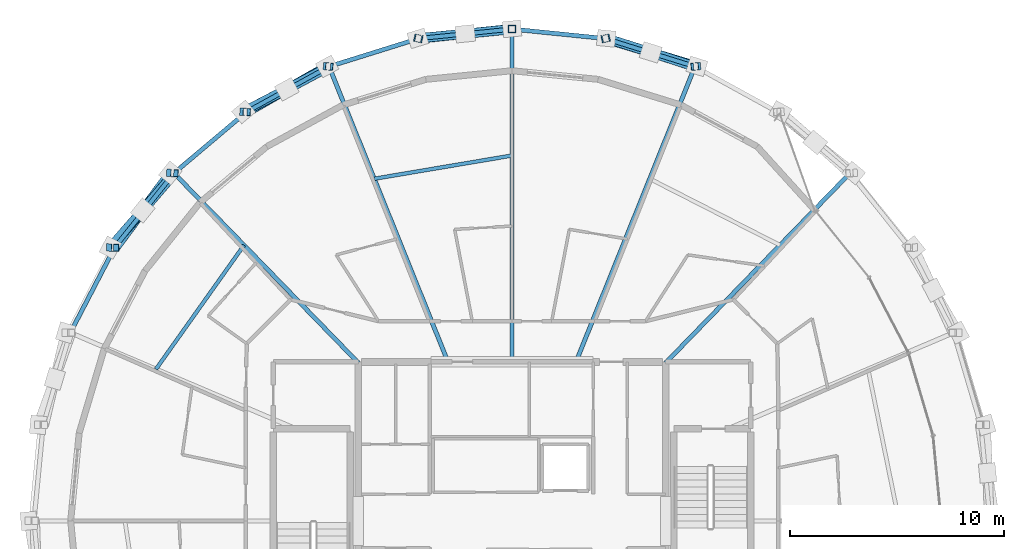
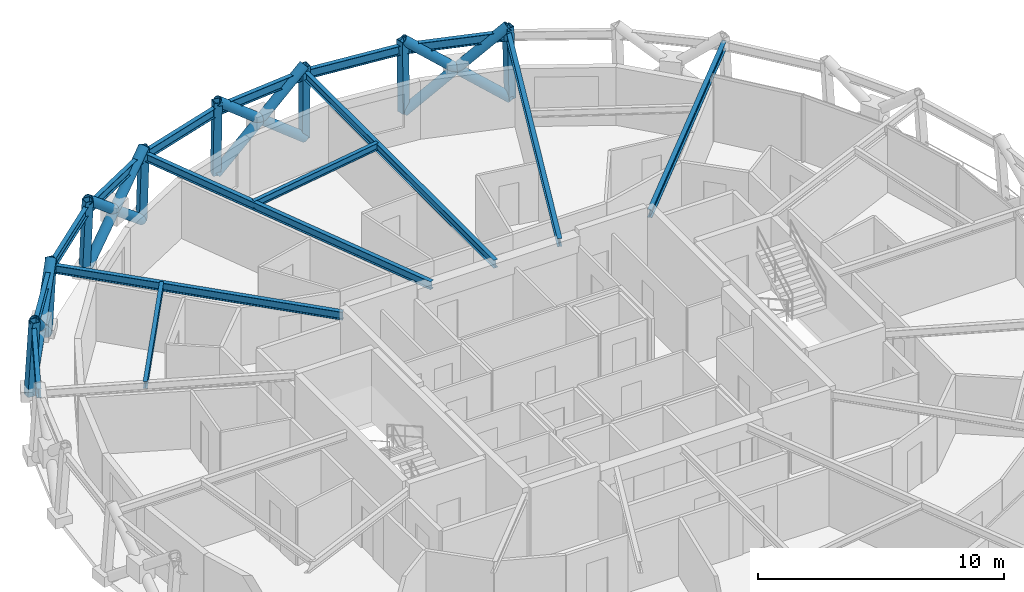
# One storey, part 7 of 15: 20 members, 15 beams.
"""IFC4 building model written with IfcOpenShell, lengths in metres."""

from ifc_helpers import new_model, si_unit, direction, frame, origin, origin_2d, place, context, subcontext, project, spatial, hollow_rectangle, hollow_circle, i_section, extrude, material, material_profile, profile_set, type_object, element, save


model = new_model("IFC4")

# Units and contexts
model_context = context("Model", 3, precision=1e-05, world=origin(), true_north=direction((0.0, 1.0)))
body_context = subcontext(model_context, "Body", "Model", "MODEL_VIEW")
ifc_project = project(units=[si_unit("LENGTHUNIT", "METRE"), si_unit("AREAUNIT", "SQUARE_METRE"), si_unit("VOLUMEUNIT", "CUBIC_METRE"), si_unit("PLANEANGLEUNIT", "RADIAN"), si_unit("MASSUNIT", "GRAM", prefix="KILO")], contexts=[model_context])

# Site, building, storey
site_placement = place(None, origin())
site = spatial("IfcSite", under=ifc_project, at=site_placement, CompositionType="ELEMENT")
building_placement = place(site_placement, origin())
building = spatial("IfcBuilding", under=site, at=building_placement, Name="Veldorina Hangang Commons", CompositionType="ELEMENT")
storey_placement = place(building_placement, frame((0.0, 0.0, 254.39990234375)))
storey = spatial("IfcBuildingStorey", under=building, at=storey_placement, Name="L66", CompositionType="ELEMENT", Elevation=254.39990234375)

# Beams
ifc_material = material(Name="Steel SM355-TMC", Category="steel")
ifc_material_profile_1 = material_profile(ifc_material, i_section(OverallWidth=0.199951171875, OverallDepth=0.39990234375, WebThickness=0.008056640625, FlangeThickness=0.012939453125, FilletRadius=0.012939453125, at=origin_2d()), Name="H-400x200x8x13")
ifc_profile_set_1 = profile_set([ifc_material_profile_1], Name="Steel SM355-TMC")
beam_type_1 = type_object("IfcBeamType", Name="BM-FG400", PredefinedType="BEAM", material=ifc_profile_set_1)
beam_1_placement = place(storey_placement, frame((39.199951171875, 31.40771484375, 3.16015625), z_axis=(0.696970842647, 0.717099466253, 0.0), x_axis=(-0.717099466253, 0.696970842647, 0.0)))
element("IfcBeam", 1, at=beam_1_placement, inside=storey, type_object=beam_type_1, Name="L66 radial floor girder 03", PredefinedType="BEAM", context=body_context, shape_type="SweptSolid", body=[
    extrude(i_section(OverallWidth=0.199951171875, OverallDepth=0.39990234375, WebThickness=0.008056640625, FlangeThickness=0.012939453125, FilletRadius=0.012939453125, at=origin_2d()), origin(), (0.0, 0.0, 1.0), 12.3837890625),
])
beam_2_placement = place(storey_placement, frame((34.999267578125, 31.449951171875, 3.16015625), z_axis=(0.373456257495, 0.92764779078, 0.0), x_axis=(-0.92764779078, 0.373456257495, 0.0)))
element("IfcBeam", 2, at=beam_2_placement, inside=storey, type_object=beam_type_1, Name="L66 radial floor girder 04", PredefinedType="BEAM", context=body_context, shape_type="SweptSolid", body=[
    extrude(i_section(OverallWidth=0.199951171875, OverallDepth=0.39990234375, WebThickness=0.008056640625, FlangeThickness=0.012939453125, FilletRadius=0.012939453125, at=origin_2d()), origin(), (0.0, 0.0, 1.0), 14.910400390625),
])
beam_3_placement = place(storey_placement, frame((32.0, 31.449951171875, 3.16015625), z_axis=(0.0, 1.0, 0.0), x_axis=(-1.0, 0.0, 0.0)))
element("IfcBeam", 3, at=beam_3_placement, inside=storey, type_object=beam_type_1, Name="L66 radial floor girder 05", PredefinedType="BEAM", context=body_context, shape_type="SweptSolid", body=[
    extrude(i_section(OverallWidth=0.199951171875, OverallDepth=0.39990234375, WebThickness=0.008056640625, FlangeThickness=0.012939453125, FilletRadius=0.012939453125, at=origin_2d()), origin(), (0.0, 0.0, 1.0), 15.5849609375),
])
beam_4_placement = place(storey_placement, frame((29.000732421875, 31.449951171875, 3.16015625), z_axis=(-0.373456257495, 0.92764779078, 0.0), x_axis=(-0.92764779078, -0.373456257495, 0.0)))
element("IfcBeam", 4, at=beam_4_placement, inside=storey, type_object=beam_type_1, Name="L66 radial floor girder 06", PredefinedType="BEAM", context=body_context, shape_type="SweptSolid", body=[
    extrude(i_section(OverallWidth=0.199951171875, OverallDepth=0.39990234375, WebThickness=0.008056640625, FlangeThickness=0.012939453125, FilletRadius=0.012939453125, at=origin_2d()), origin(), (0.0, 0.0, 1.0), 14.910400390625),
])
beam_5_placement = place(storey_placement, frame((24.800048828125, 31.40771484375, 3.16015625), z_axis=(-0.696970842647, 0.717099466253, 0.0), x_axis=(-0.717099466253, -0.696970842647, 0.0)))
element("IfcBeam", 5, at=beam_5_placement, inside=storey, type_object=beam_type_1, Name="L66 radial floor girder 07", PredefinedType="BEAM", context=body_context, shape_type="SweptSolid", body=[
    extrude(i_section(OverallWidth=0.199951171875, OverallDepth=0.39990234375, WebThickness=0.008056640625, FlangeThickness=0.012939453125, FilletRadius=0.012939453125, at=origin_2d()), origin(), (0.0, 0.0, 1.0), 12.3837890625),
])
ifc_material_profile_2 = material_profile(ifc_material, i_section(OverallWidth=0.175048828125, OverallDepth=0.35009765625, WebThickness=0.007080078125, FlangeThickness=0.010986328125, FilletRadius=0.012939453125, at=origin_2d()), Name="H-350x175x7x11")
ifc_profile_set_2 = profile_set([ifc_material_profile_2], Name="Steel SM355-TMC")
beam_type_2 = type_object("IfcBeamType", Name="BM-JST350", PredefinedType="JOIST", material=ifc_profile_set_2)
beam_6_placement = place(storey_placement, frame((32.0, 41.112548828125, 3.18505859375), z_axis=(-0.986097851837, -0.166165660116, 0.0), x_axis=(0.166165660116, -0.986097851837, 0.0)))
element("IfcBeam", 6, at=beam_6_placement, inside=storey, type_object=beam_type_2, Name="L66 secondary floor joist 05", PredefinedType="JOIST", context=body_context, shape_type="SweptSolid", body=[
    extrude(i_section(OverallWidth=0.175048828125, OverallDepth=0.35009765625, WebThickness=0.007080078125, FlangeThickness=0.010986328125, FilletRadius=0.012939453125, at=origin_2d()), origin(), (0.0, 0.0, 1.0), 6.542724609375),
])
beam_7_placement = place(storey_placement, frame((19.44873046875, 36.91357421875, 3.18505859375), z_axis=(-0.579135201405, -0.815231512206, 0.0), x_axis=(0.815231512206, -0.579135201405, 0.0)))
element("IfcBeam", 7, at=beam_7_placement, inside=storey, type_object=beam_type_2, Name="L66 secondary floor joist 07", PredefinedType="JOIST", context=body_context, shape_type="SweptSolid", body=[
    extrude(i_section(OverallWidth=0.175048828125, OverallDepth=0.35009765625, WebThickness=0.007080078125, FlangeThickness=0.010986328125, FilletRadius=0.012939453125, at=origin_2d()), origin(), (0.0, 0.0, 1.0), 7.122802734375),
])
ifc_material_profile_3 = material_profile(ifc_material, i_section(OverallWidth=0.199951171875, OverallDepth=0.449951171875, WebThickness=0.009033203125, FlangeThickness=0.013916015625, FilletRadius=0.01611328125, at=origin_2d()), Name="H-450x200x9x14")
ifc_profile_set_3 = profile_set([ifc_material_profile_3], Name="Steel SM355-TMC")
beam_type_3 = type_object("IfcBeamType", Name="BM-RB450", PredefinedType="BEAM", material=ifc_profile_set_3)
beam_8_placement = place(storey_placement, frame((40.567626953125, 45.281494140625, 3.135009765625), z_axis=(-0.954584585125, 0.297940044038, 0.0), x_axis=(-0.297940044038, -0.954584585125, 0.0)))
element("IfcBeam", 8, at=beam_8_placement, inside=storey, type_object=beam_type_3, Name="L66 perimeter hoop ring beam 06", PredefinedType="BEAM", context=body_context, shape_type="SweptSolid", body=[
    extrude(i_section(OverallWidth=0.199951171875, OverallDepth=0.449951171875, WebThickness=0.009033203125, FlangeThickness=0.013916015625, FilletRadius=0.01611328125, at=origin_2d()), origin(), (0.0, 0.0, 1.0), 4.3994140625),
])
for number, where, z_axis, x_axis, name in (
    (9, (36.367919921875, 46.59228515625, 3.135009765625), (-0.994904729935, 0.100819533585, 0.0), (-0.100819533585, -0.994904729935, 0.0), "L66 perimeter hoop ring beam 07"),
    (10, (32.0, 47.034912109375, 3.135009765625), (-0.994904729935, -0.100819533585, 0.0), (0.100819533585, -0.994904729935, 0.0), "L66 perimeter hoop ring beam 08"),
):
    element("IfcBeam", number, at=place(storey_placement, frame(where, z_axis=z_axis, x_axis=x_axis)), inside=storey, type_object=beam_type_3, Name=name, PredefinedType="BEAM", context=body_context, shape_type="SweptSolid", body=[
        extrude(i_section(OverallWidth=0.199951171875, OverallDepth=0.449951171875, WebThickness=0.009033203125, FlangeThickness=0.013916015625, FilletRadius=0.01611328125, at=origin_2d()), origin(), (0.0, 0.0, 1.0), 4.390380859375),
    ])
beam_9_placement = place(storey_placement, frame((27.632080078125, 46.59228515625, 3.135009765625), z_axis=(-0.954584585125, -0.297940044038, 0.0), x_axis=(0.297940044038, -0.954584585125, 0.0)))
element("IfcBeam", 11, at=beam_9_placement, inside=storey, type_object=beam_type_3, Name="L66 perimeter hoop ring beam 09", PredefinedType="BEAM", context=body_context, shape_type="SweptSolid", body=[
    extrude(i_section(OverallWidth=0.199951171875, OverallDepth=0.449951171875, WebThickness=0.009033203125, FlangeThickness=0.013916015625, FilletRadius=0.01611328125, at=origin_2d()), origin(), (0.0, 0.0, 1.0), 4.3994140625),
])
beam_10_placement = place(storey_placement, frame((23.432373046875, 45.281494140625, 3.135009765625), z_axis=(-0.876245078273, -0.481865710341, 0.0), x_axis=(0.481865710341, -0.876245078273, 0.0)))
element("IfcBeam", 12, at=beam_10_placement, inside=storey, type_object=beam_type_3, Name="L66 perimeter hoop ring beam 10", PredefinedType="BEAM", context=body_context, shape_type="SweptSolid", body=[
    extrude(i_section(OverallWidth=0.199951171875, OverallDepth=0.449951171875, WebThickness=0.009033203125, FlangeThickness=0.013916015625, FilletRadius=0.01611328125, at=origin_2d()), origin(), (0.0, 0.0, 1.0), 4.41748046875),
])
beam_11_placement = place(storey_placement, frame((19.5615234375, 43.15283203125, 3.135009765625), z_axis=(-0.764040756968, -0.645167979438, 0.0), x_axis=(0.645167979438, -0.764040756968, 0.0)))
element("IfcBeam", 13, at=beam_11_placement, inside=storey, type_object=beam_type_3, Name="L66 perimeter hoop ring beam 11", PredefinedType="BEAM", context=body_context, shape_type="SweptSolid", body=[
    extrude(i_section(OverallWidth=0.199951171875, OverallDepth=0.449951171875, WebThickness=0.009033203125, FlangeThickness=0.013916015625, FilletRadius=0.01611328125, at=origin_2d()), origin(), (0.0, 0.0, 1.0), 4.4404296875),
])
beam_12_placement = place(storey_placement, frame((16.1689453125, 40.2880859375, 3.135009765625), z_axis=(-0.623607541824, -0.781737573473, 0.0), x_axis=(0.781737573473, -0.623607541824, 0.0)))
element("IfcBeam", 14, at=beam_12_placement, inside=storey, type_object=beam_type_3, Name="L66 perimeter hoop ring beam 12", PredefinedType="BEAM", context=body_context, shape_type="SweptSolid", body=[
    extrude(i_section(OverallWidth=0.199951171875, OverallDepth=0.449951171875, WebThickness=0.009033203125, FlangeThickness=0.013916015625, FilletRadius=0.01611328125, at=origin_2d()), origin(), (0.0, 0.0, 1.0), 4.465087890625),
])
beam_13_placement = place(storey_placement, frame((13.384521484375, 36.797607421875, 3.135009765625), z_axis=(-0.460999842905, -0.887400216836, 0.0), x_axis=(0.887400216836, -0.460999842905, 0.0)))
element("IfcBeam", 15, at=beam_13_placement, inside=storey, type_object=beam_type_3, Name="L66 perimeter hoop ring beam 13", PredefinedType="BEAM", context=body_context, shape_type="SweptSolid", body=[
    extrude(i_section(OverallWidth=0.199951171875, OverallDepth=0.449951171875, WebThickness=0.009033203125, FlangeThickness=0.013916015625, FilletRadius=0.01611328125, at=origin_2d()), origin(), (0.0, 0.0, 1.0), 4.48779296875),
])

# Members
ifc_material_profile_4 = material_profile(ifc_material, hollow_circle(Radius=0.22509765625, WallThickness=0.02197265625, at=origin_2d()), Name="CHS-450x22")
ifc_profile_set_4 = profile_set([ifc_material_profile_4], Name="Steel SM355-TMC")
member_type_1 = type_object("IfcMemberType", Name="DG-CHS450", PredefinedType="BRACE", material=ifc_profile_set_4)
member_1_placement = place(storey_placement, frame((40.659912109375, 45.291259765625, 0.0), z_axis=(-0.74688485236, 0.225774778188, 0.625450850866), x_axis=(-0.289357068421, -0.957221231981, 0.0)))
element("IfcMember", 16, at=member_1_placement, inside=storey, type_object=member_type_1, Name="L66 continuous perimeter diagrid brace 06", PredefinedType="BRACE", context=body_context, shape_type="SweptSolid", body=[
    extrude(hollow_circle(Radius=0.22509765625, WallThickness=0.02197265625, at=origin_2d()), origin(), (0.0, 0.0, 1.0), 5.756103515625),
])
member_2_placement = place(storey_placement, frame((36.414794921875, 46.602783203125, 0.0), z_axis=(0.734272796847, -0.231966189395, 0.637993061708), x_axis=(0.30123831669, 0.953548885248, 0.0)))
element("IfcMember", 17, at=member_2_placement, inside=storey, type_object=member_type_1, Name="L66 split perimeter diagrid lower brace 07", PredefinedType="BRACE", context=body_context, shape_type="SweptSolid", body=[
    extrude(hollow_circle(Radius=0.22509765625, WallThickness=0.02197265625, at=origin_2d()), origin(), (0.0, 0.0, 1.0), 2.83740234375),
])
member_3_placement = place(storey_placement, frame((38.498291015625, 45.944580078125, 1.810302734375), z_axis=(0.732730265145, -0.236875508518, 0.637962657218), x_axis=(0.307603644806, 0.951514580919, 0.0)))
element("IfcMember", 18, at=member_3_placement, inside=storey, type_object=member_type_1, Name="L66 split perimeter diagrid upper brace 07", PredefinedType="BRACE", context=body_context, shape_type="SweptSolid", body=[
    extrude(hollow_circle(Radius=0.22509765625, WallThickness=0.02197265625, at=origin_2d()), origin(), (0.0, 0.0, 1.0), 2.805419921875),
])
member_4_placement = place(storey_placement, frame((32.0, 47.04541015625, 0.0), z_axis=(-0.768684711658, -0.080130496759, 0.634588778306), x_axis=(0.103681826286, -0.994610516181, 0.0)))
element("IfcMember", 19, at=member_4_placement, inside=storey, type_object=member_type_1, Name="L66 continuous perimeter diagrid brace 08", PredefinedType="BRACE", context=body_context, shape_type="SweptSolid", body=[
    extrude(hollow_circle(Radius=0.22509765625, WallThickness=0.02197265625, at=origin_2d()), origin(), (0.0, 0.0, 1.0), 5.673095703125),
])
member_5_placement = place(storey_placement, frame((27.585205078125, 46.602783203125, 0.0), z_axis=(0.772885077108, 0.074417160645, 0.630167234776), x_axis=(-0.09584165916, 0.995396592504, 0.0)))
element("IfcMember", 20, at=member_5_placement, inside=storey, type_object=member_type_1, Name="L66 split perimeter diagrid lower brace 09", PredefinedType="BRACE", context=body_context, shape_type="SweptSolid", body=[
    extrude(hollow_circle(Radius=0.22509765625, WallThickness=0.02197265625, at=origin_2d()), origin(), (0.0, 0.0, 1.0), 2.873779296875),
])
member_6_placement = place(storey_placement, frame((29.806396484375, 46.816650390625, 1.81103515625), z_axis=(0.772686120161, 0.07627964258, 0.630188524045), x_axis=(-0.098242530792, 0.995162501878, 0.0)))
element("IfcMember", 21, at=member_6_placement, inside=storey, type_object=member_type_1, Name="L66 split perimeter diagrid upper brace 09", PredefinedType="BRACE", context=body_context, shape_type="SweptSolid", body=[
    extrude(hollow_circle(Radius=0.22509765625, WallThickness=0.02197265625, at=origin_2d()), origin(), (0.0, 0.0, 1.0), 2.8388671875),
])
member_7_placement = place(storey_placement, frame((23.340087890625, 45.291259765625, 0.0), z_axis=(-0.667947730953, -0.380221740327, 0.639747807263), x_axis=(0.494703632698, -0.869061744524, 0.0)))
element("IfcMember", 22, at=member_7_placement, inside=storey, type_object=member_type_1, Name="L66 continuous perimeter diagrid brace 10", PredefinedType="BRACE", context=body_context, shape_type="SweptSolid", body=[
    extrude(hollow_circle(Radius=0.22509765625, WallThickness=0.02197265625, at=origin_2d()), origin(), (0.0, 0.0, 1.0), 5.62744140625),
])
member_8_placement = place(storey_placement, frame((19.427734375, 43.16162109375, 0.0), z_axis=(0.695033201838, 0.362188592514, 0.6210863642), x_axis=(-0.462127245811, 0.8868136268, 0.0)))
element("IfcMember", 23, at=member_8_placement, inside=storey, type_object=member_type_1, Name="L66 split perimeter diagrid lower brace 11", PredefinedType="BRACE", context=body_context, shape_type="SweptSolid", body=[
    extrude(hollow_circle(Radius=0.22509765625, WallThickness=0.02197265625, at=origin_2d()), origin(), (0.0, 0.0, 1.0), 2.911865234375),
])
member_9_placement = place(storey_placement, frame((21.45166015625, 44.21630859375, 1.80859375), z_axis=(0.691488415234, 0.368810751031, 0.621146038803), x_axis=(-0.470605053571, 0.882343971223, 0.0)))
element("IfcMember", 24, at=member_9_placement, inside=storey, type_object=member_type_1, Name="L66 split perimeter diagrid upper brace 11", PredefinedType="BRACE", context=body_context, shape_type="SweptSolid", body=[
    extrude(hollow_circle(Radius=0.22509765625, WallThickness=0.02197265625, at=origin_2d()), origin(), (0.0, 0.0, 1.0), 2.88427734375),
])
member_10_placement = place(storey_placement, frame((15.99853515625, 40.295654296875, 0.0), z_axis=(-0.45767524147, -0.619688385522, 0.637588957083), x_axis=(0.804396541593, -0.594092756961, 0.0)))
element("IfcMember", 25, at=member_10_placement, inside=storey, type_object=member_type_1, Name="L66 continuous perimeter diagrid brace 12", PredefinedType="BRACE", context=body_context, shape_type="SweptSolid", body=[
    extrude(hollow_circle(Radius=0.22509765625, WallThickness=0.02197265625, at=origin_2d()), origin(), (0.0, 0.0, 1.0), 5.646484375),
])
member_11_placement = place(storey_placement, frame((13.18408203125, 36.803466796875, 0.0), z_axis=(0.518436803165, 0.593177692339, 0.615924919479), x_axis=(-0.752950031548, 0.658077692975, 0.0)))
element("IfcMember", 26, at=member_11_placement, inside=storey, type_object=member_type_1, Name="L66 split perimeter diagrid lower brace 13", PredefinedType="BRACE", context=body_context, shape_type="SweptSolid", body=[
    extrude(hollow_circle(Radius=0.22509765625, WallThickness=0.02197265625, at=origin_2d()), origin(), (0.0, 0.0, 1.0), 2.929931640625),
])
member_12_placement = place(storey_placement, frame((14.703125, 38.54150390625, 1.8046875), z_axis=(0.511589482952, 0.598962633552, 0.616051917083), x_axis=(-0.76038899638, 0.649467916209, 0.0)))
element("IfcMember", 27, at=member_12_placement, inside=storey, type_object=member_type_1, Name="L66 split perimeter diagrid upper brace 13", PredefinedType="BRACE", context=body_context, shape_type="SweptSolid", body=[
    extrude(hollow_circle(Radius=0.22509765625, WallThickness=0.02197265625, at=origin_2d()), origin(), (0.0, 0.0, 1.0), 2.914306640625),
])
ifc_material_profile_5 = material_profile(ifc_material, hollow_rectangle(XDim=0.35009765625, YDim=0.35009765625, WallThickness=0.01611328125, at=origin_2d()), Name="SHS-350x350x16")
ifc_profile_set_5 = profile_set([ifc_material_profile_5], Name="Steel SM355-TMC")
member_type_2 = type_object("IfcMemberType", Name="STR-SHS350", PredefinedType="STRUT", material=ifc_profile_set_5)
member_13_placement = place(storey_placement, frame((40.659912109375, 45.291259765625, 0.0), z_axis=(-0.029418828304, -0.003118124659, 0.999562309133), x_axis=(0.105400400395, -0.994429864594, 0.0)))
element("IfcMember", 28, at=member_13_placement, inside=storey, type_object=member_type_2, Name="L66 perimeter ring node post 06", PredefinedType="STRUT", context=body_context, shape_type="SweptSolid", body=[
    extrude(hollow_rectangle(XDim=0.35009765625, YDim=0.35009765625, WallThickness=0.01611328125, at=origin_2d()), origin(), (0.0, 0.0, 1.0), 3.6015625),
])
member_14_placement = place(storey_placement, frame((36.414794921875, 46.602783203125, 0.0), z_axis=(-0.014985349564, -0.003322543568, 0.999882193062), x_axis=(0.216462686415, -0.976290891789, 0.0)))
element("IfcMember", 29, at=member_14_placement, inside=storey, type_object=member_type_2, Name="L66 perimeter ring node post 07", PredefinedType="STRUT", context=body_context, shape_type="SweptSolid", body=[
    extrude(hollow_rectangle(XDim=0.35009765625, YDim=0.35009765625, WallThickness=0.01611328125, at=origin_2d()), origin(), (0.0, 0.0, 1.0), 3.6005859375),
])
member_15_placement = place(storey_placement, frame((32.0, 47.04541015625, 0.0), z_axis=(0.0, -0.003390730542, 0.999994251457), x_axis=(1.0, 0.0, 0.0)))
element("IfcMember", 30, at=member_15_placement, inside=storey, type_object=member_type_2, Name="L66 perimeter ring node post 08", PredefinedType="STRUT", context=body_context, shape_type="SweptSolid", body=[
    extrude(hollow_rectangle(XDim=0.35009765625, YDim=0.35009765625, WallThickness=0.01611328125, at=origin_2d()), origin(), (0.0, 0.0, 1.0), 3.60009765625),
])
member_16_placement = place(storey_placement, frame((27.585205078125, 46.602783203125, 0.0), z_axis=(0.014985349564, -0.003322543568, 0.999882193062), x_axis=(0.216462686415, 0.976290891789, 0.0)))
element("IfcMember", 31, at=member_16_placement, inside=storey, type_object=member_type_2, Name="L66 perimeter ring node post 09", PredefinedType="STRUT", context=body_context, shape_type="SweptSolid", body=[
    extrude(hollow_rectangle(XDim=0.35009765625, YDim=0.35009765625, WallThickness=0.01611328125, at=origin_2d()), origin(), (0.0, 0.0, 1.0), 3.6005859375),
])
member_17_placement = place(storey_placement, frame((23.340087890625, 45.291259765625, 0.0), z_axis=(0.029418828304, -0.003118124659, 0.999562309133), x_axis=(0.105400400395, 0.994429864594, 0.0)))
element("IfcMember", 32, at=member_17_placement, inside=storey, type_object=member_type_2, Name="L66 perimeter ring node post 10", PredefinedType="STRUT", context=body_context, shape_type="SweptSolid", body=[
    extrude(hollow_rectangle(XDim=0.35009765625, YDim=0.35009765625, WallThickness=0.01611328125, at=origin_2d()), origin(), (0.0, 0.0, 1.0), 3.6015625),
])
member_18_placement = place(storey_placement, frame((19.427734375, 43.16162109375, 0.0), z_axis=(0.04261671784, -0.002777878269, 0.99908763317), x_axis=(0.065044795148, 0.997882345081, 0.0)))
element("IfcMember", 33, at=member_18_placement, inside=storey, type_object=member_type_2, Name="L66 perimeter ring node post 11", PredefinedType="STRUT", context=body_context, shape_type="SweptSolid", body=[
    extrude(hollow_rectangle(XDim=0.35009765625, YDim=0.35009765625, WallThickness=0.01611328125, at=origin_2d()), origin(), (0.0, 0.0, 1.0), 3.603271484375),
])
member_19_placement = place(storey_placement, frame((15.99853515625, 40.295654296875, 0.0), z_axis=(0.054239700947, -0.002370024386, 0.998525131294), x_axis=(0.043653726915, 0.999046721693, 0.0)))
element("IfcMember", 34, at=member_19_placement, inside=storey, type_object=member_type_2, Name="L66 perimeter ring node post 12", PredefinedType="STRUT", context=body_context, shape_type="SweptSolid", body=[
    extrude(hollow_rectangle(XDim=0.35009765625, YDim=0.35009765625, WallThickness=0.01611328125, at=origin_2d()), origin(), (0.0, 0.0, 1.0), 3.60546875),
])
member_20_placement = place(storey_placement, frame((13.18408203125, 36.803466796875, 0.0), z_axis=(0.063819068512, -0.001894945831, 0.997959686398), x_axis=(0.029679390409, 0.999559469859, 0.0)))
element("IfcMember", 35, at=member_20_placement, inside=storey, type_object=member_type_2, Name="L66 perimeter ring node post 13", PredefinedType="STRUT", context=body_context, shape_type="SweptSolid", body=[
    extrude(hollow_rectangle(XDim=0.35009765625, YDim=0.35009765625, WallThickness=0.01611328125, at=origin_2d()), origin(), (0.0, 0.0, 1.0), 3.607421875),
])

save(model, "model.ifc")
